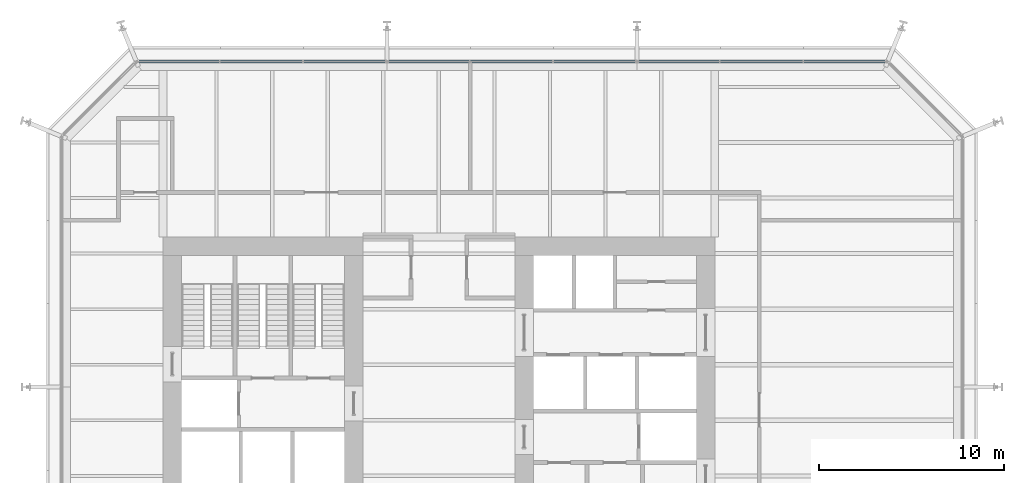
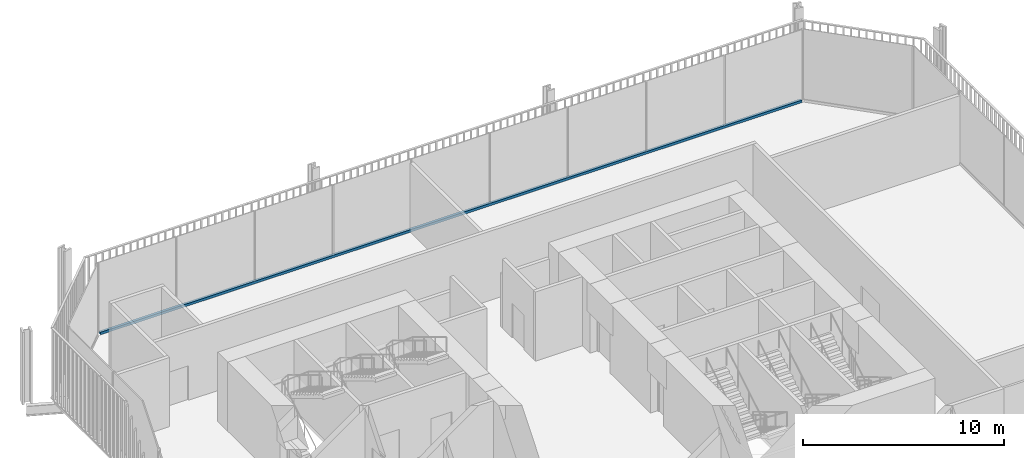
# One storey, part 13 of 20: 1 member, 1 element without a shape of its own.
"""IFC4 building model written with IfcOpenShell, lengths in metres."""

import ifcopenshell
import ifcopenshell.guid

model = None  # the IFC model being written
_history = None  # IfcOwnerHistory: only IFC2X3 demands one
_inside = {}  # id of a spatial element -> (the spatial element, [elements in it])
_under = {}  # id of a project, library or spatial element -> (it, [spatial elements below it])
_declared = {}  # id of a project -> (the project, [libraries it declares])
_typed = {}  # id of a type object -> (the type object, [elements of that type])
_made_of = {}  # id of a material, layer set ... -> (it, [elements and type objects made of it])


def new_model(schema):
    """Start an empty IFC model of exactly this schema.

    Asked for "IFC4X3", IfcOpenShell would pick the latest addendum, in which some entities
    have other attributes; the version numbers below select the first issue.
    IFC2X3 requires an IfcOwnerHistory on every rooted entity: one is made here for all.
    """
    global model, _history
    if schema == "IFC4X3":
        model = ifcopenshell.file(schema_version=(4, 3, 0, 0))
    else:
        model = ifcopenshell.file(schema=schema)
    _inside.clear()
    _under.clear()
    _declared.clear()
    _typed.clear()
    _made_of.clear()
    _history = None
    if model.schema == "IFC2X3":
        org = make("IfcOrganization", Name="unknown")
        user = make(
            "IfcPersonAndOrganization",
            ThePerson=make("IfcPerson", FamilyName="unknown"),
            TheOrganization=org,
        )
        app = make(
            "IfcApplication",
            ApplicationDeveloper=org,
            Version="unknown",
            ApplicationFullName="unknown",
            ApplicationIdentifier="unknown",
        )
        _history = make(
            "IfcOwnerHistory",
            OwningUser=user,
            OwningApplication=app,
            ChangeAction="ADDED",
            CreationDate=0,
        )
    return model


def make(cls, **values):
    """One entity of the class cls with the attributes given. An attribute that is None is left unset."""
    return model.create_entity(
        cls, **{name: value for name, value in values.items() if value is not None}
    )


def rooted(cls, **values):
    """An entity with a GlobalId (a new one), such as an element, a storey or a relation."""
    return make(cls, GlobalId=ifcopenshell.guid.new(), OwnerHistory=_history, **values)


def si_unit(unit_type, name, prefix=None):
    """IfcSIUnit, for example si_unit("LENGTHUNIT", "METRE", prefix="MILLI")."""
    return make("IfcSIUnit", UnitType=unit_type, Prefix=prefix, Name=name)


def assignment(units):
    """IfcUnitAssignment: the units of a project."""
    return None if units is None else make("IfcUnitAssignment", Units=units)


def point(xyz):
    """IfcCartesianPoint."""
    return None if xyz is None else make("IfcCartesianPoint", Coordinates=xyz)


def direction(xyz):
    """IfcDirection."""
    return None if xyz is None else make("IfcDirection", DirectionRatios=xyz)


def frame(location, z_axis=None, x_axis=None):
    """IfcAxis2Placement3D, a coordinate frame: its origin and axes. An axis left out is left unset."""
    return make(
        "IfcAxis2Placement3D",
        Location=point(location),
        Axis=direction(z_axis),
        RefDirection=direction(x_axis),
    )


def frame_2d(location, x_axis=None):
    """IfcAxis2Placement2D, a coordinate frame in the plane: its origin and x axis."""
    return make(
        "IfcAxis2Placement2D", Location=point(location), RefDirection=direction(x_axis)
    )


def origin():
    """The frame at (0, 0, 0) with its axes left unset."""
    return frame((0.0, 0.0, 0.0))


def origin_2d():
    """The frame at (0, 0) in the plane with its x axis left unset."""
    return frame_2d((0.0, 0.0))


def place(relative_to, where):
    """IfcLocalPlacement: puts the frame where relative to a parent placement (None: the world)."""
    return make(
        "IfcLocalPlacement", PlacementRelTo=relative_to, RelativePlacement=where
    )


def context(
    kind, dimensions, precision=None, world=None, true_north=None, identifier=None
):
    """IfcGeometricRepresentationContext, for example the 3D "Model" context."""
    return make(
        "IfcGeometricRepresentationContext",
        ContextIdentifier=identifier,
        ContextType=kind,
        CoordinateSpaceDimension=dimensions,
        Precision=precision,
        WorldCoordinateSystem=world,
        TrueNorth=true_north,
    )


def subcontext(parent, identifier, kind, view, scale=None):
    """IfcGeometricRepresentationSubContext, for example "Body" below "Model"."""
    return make(
        "IfcGeometricRepresentationSubContext",
        ContextIdentifier=identifier,
        ContextType=kind,
        ParentContext=parent,
        TargetScale=scale,
        TargetView=view,
    )


def project(units=None, contexts=None):
    """IfcProject with its units and contexts."""
    return rooted(
        "IfcProject",
        Name="project",
        RepresentationContexts=contexts,
        UnitsInContext=assignment(units),
    )


def spatial(cls, under=None, at=None, **own):
    """A site, building, storey or space (cls), placed at a placement, below another one or the project."""
    s = rooted(cls, ObjectPlacement=at, **own)
    if under is not None:
        _under.setdefault(under.id(), (under, []))[1].append(s)
    return s


def profile(cls, at=None, kind="AREA", **sizes):
    """A parametric profile (cls). Its sizes go by their IFC names, for example OverallWidth=200.0."""
    return make(cls, ProfileType=kind, Position=at, **sizes)


def rectangle(**sizes):
    """IfcRectangleProfileDef."""
    return profile("IfcRectangleProfileDef", **sizes)


def extrude(swept, where, along, depth):
    """IfcExtrudedAreaSolid: the profile swept, set in the frame where, extruded along a direction by depth."""
    return make(
        "IfcExtrudedAreaSolid",
        SweptArea=swept,
        Position=where,
        ExtrudedDirection=direction(along),
        Depth=depth,
    )


def shape(context_of_items, identifier, shape_type, items):
    """IfcShapeRepresentation: the items that make up one representation, for example the "Body"."""
    return make(
        "IfcShapeRepresentation",
        ContextOfItems=context_of_items,
        RepresentationIdentifier=identifier,
        RepresentationType=shape_type,
        Items=items,
    )


def material(Name=None, Category=None):
    """IfcMaterial."""
    return make("IfcMaterial", Name=Name, Category=Category)


def layer(
    of_material, thickness, ventilated=None, Name=None, Category=None, Priority=None
):
    """IfcMaterialLayer: one layer of a wall or slab, of a material (None: an air gap)."""
    return make(
        "IfcMaterialLayer",
        Material=of_material,
        LayerThickness=thickness,
        IsVentilated=ventilated,
        Name=Name,
        Category=Category,
        Priority=Priority,
    )


def layer_set(layers, Name=None):
    """IfcMaterialLayerSet."""
    return make("IfcMaterialLayerSet", MaterialLayers=layers, LayerSetName=Name)


def material_profile(
    of_material, cross_section, Name=None, Category=None, Priority=None
):
    """IfcMaterialProfile: a cross section and its material."""
    return make(
        "IfcMaterialProfile",
        Name=Name,
        Material=of_material,
        Profile=cross_section,
        Priority=Priority,
        Category=Category,
    )


def profile_set(profiles, Name=None, composite=None):
    """IfcMaterialProfileSet."""
    return make(
        "IfcMaterialProfileSet",
        Name=Name,
        MaterialProfiles=profiles,
        CompositeProfile=composite,
    )


def made_of(thing, what):
    """Note that an element or type object is made of a material, layer set ...; save() writes the relation."""
    if what is not None:
        _made_of.setdefault(what.id(), (what, []))[1].append(thing)
    return thing


def type_object(cls, material=None, **own):
    """A type object (cls), such as IfcWallType, which elements share."""
    return made_of(rooted(cls, **own), material)


def element(
    cls,
    number,
    at=None,
    inside=None,
    cuts=None,
    type_object=None,
    material=None,
    context=None,
    identifier="Body",
    shape_type=None,
    held_by="IfcProductDefinitionShape",
    body=None,
    shapes=None,
    **own,
):
    """One element of the class cls, such as IfcWall. Its Tag is "e" and its number.

    at: its placement. inside: the storey or other place that contains it. cuts: it is an
    opening in that element (IfcRelVoidsElement). A single representation is given by context,
    identifier, shape_type and body (its items); several are given by shapes. held_by: the class
    of the entity that holds the representations. save() writes the other relations.
    """
    e = rooted(cls, Tag="e%d" % number, ObjectPlacement=at, **own)
    if body is not None:
        shapes = [shape(context, identifier, shape_type, body)]
    if shapes is not None:
        e.Representation = make(held_by, Representations=shapes)
    if inside is not None:
        _inside.setdefault(inside.id(), (inside, []))[1].append(e)
    if cuts is not None:
        rooted(
            "IfcRelVoidsElement", RelatingBuildingElement=cuts, RelatedOpeningElement=e
        )
    if type_object is not None:
        _typed.setdefault(type_object.id(), (type_object, []))[1].append(e)
    return made_of(e, material)


def aggregate(whole, parts):
    """IfcRelAggregates: a whole, such as a stair, and the parts it consists of."""
    return rooted("IfcRelAggregates", RelatingObject=whole, RelatedObjects=parts)


def save(model, path):
    """Write the relations noted so far, then the file.

    IfcRelAggregates (storeys below a building ...), IfcRelContainedInSpatialStructure (elements
    in a storey), IfcRelDefinesByType, IfcRelAssociatesMaterial and IfcRelDeclares: one each for
    every whole, place, type object, material and project.
    """
    for whole, parts in _under.values():
        aggregate(whole, parts)
    for where, things in _inside.values():
        rooted(
            "IfcRelContainedInSpatialStructure",
            RelatedElements=things,
            RelatingStructure=where,
        )
    for kind, things in _typed.values():
        rooted("IfcRelDefinesByType", RelatedObjects=things, RelatingType=kind)
    for what, things in _made_of.values():
        rooted("IfcRelAssociatesMaterial", RelatedObjects=things, RelatingMaterial=what)
    for by, libraries in _declared.values():
        rooted("IfcRelDeclares", RelatingContext=by, RelatedDefinitions=libraries)
    model.write(path)


model = new_model("IFC4")

# Units and contexts
model_context = context("Model", 3, precision=1e-05, world=origin(), true_north=direction((0.0, 1.0)))
body_context = subcontext(model_context, "Body", "Model", "MODEL_VIEW")
ifc_project = project(units=[si_unit("LENGTHUNIT", "METRE"), si_unit("AREAUNIT", "SQUARE_METRE"), si_unit("VOLUMEUNIT", "CUBIC_METRE"), si_unit("PLANEANGLEUNIT", "RADIAN"), si_unit("MASSUNIT", "GRAM", prefix="KILO")], contexts=[model_context])

# Site, building, storey
site_placement = place(None, origin())
site = spatial("IfcSite", under=ifc_project, at=site_placement, CompositionType="ELEMENT")
building_placement = place(site_placement, origin())
building = spatial("IfcBuilding", under=site, at=building_placement, Name="Millrace Tower", CompositionType="ELEMENT")
storey_placement = place(building_placement, frame((0.0, 0.0, 99.60009765625)))
storey = spatial("IfcBuildingStorey", under=building, at=storey_placement, Name="L22", CompositionType="ELEMENT", Elevation=99.60009765625)

# Curtain wall, member
ifc_material_1 = material(Name="Aluminium and glass", Category="aluminium")
ifc_layer = layer(ifc_material_1, 0.14990234375)
ifc_layer_set = layer_set([ifc_layer], Name="Aluminium and glass")
curtain_wall_type = type_object("IfcCurtainWallType", Name="CW-3 telecom floor curtain wall", PredefinedType="NOTDEFINED", material=ifc_layer_set)
curtain_wall_placement = place(storey_placement, origin())
curtain_wall = element("IfcCurtainWall", 1, at=curtain_wall_placement, inside=storey, type_object=curtain_wall_type, Name="Curtain wall B-F06 L22", PredefinedType="NOTDEFINED")
ifc_material_2 = material(Name="Aluminium", Category="aluminium")
ifc_material_profile = material_profile(ifc_material_2, rectangle(XDim=0.14990234375, YDim=0.14990234375, at=origin_2d()))
ifc_profile_set = profile_set([ifc_material_profile], Name="Aluminium")
member_type = type_object("IfcMemberType", Name="CW-3 telecom floor curtain wall transom", PredefinedType="USERDEFINED", material=ifc_profile_set)
member_placement = place(storey_placement, frame((24.10009765625, 19.375, 0.074951171875), z_axis=(-1.0, 0.0, 0.0), x_axis=(0.0, -1.0, 0.0)))
member = element("IfcMember", 2, at=member_placement, type_object=member_type, Name="CW3 transom B-F06.1", ObjectType="TRANSOM", PredefinedType="USERDEFINED", context=body_context, shape_type="SweptSolid", body=[
    extrude(rectangle(XDim=0.14990234375, YDim=0.14990234375, at=origin_2d()), origin(), (0.0, 0.0, 1.0), 40.300048828125),
])
aggregate(curtain_wall, [member])

save(model, "model.ifc")
